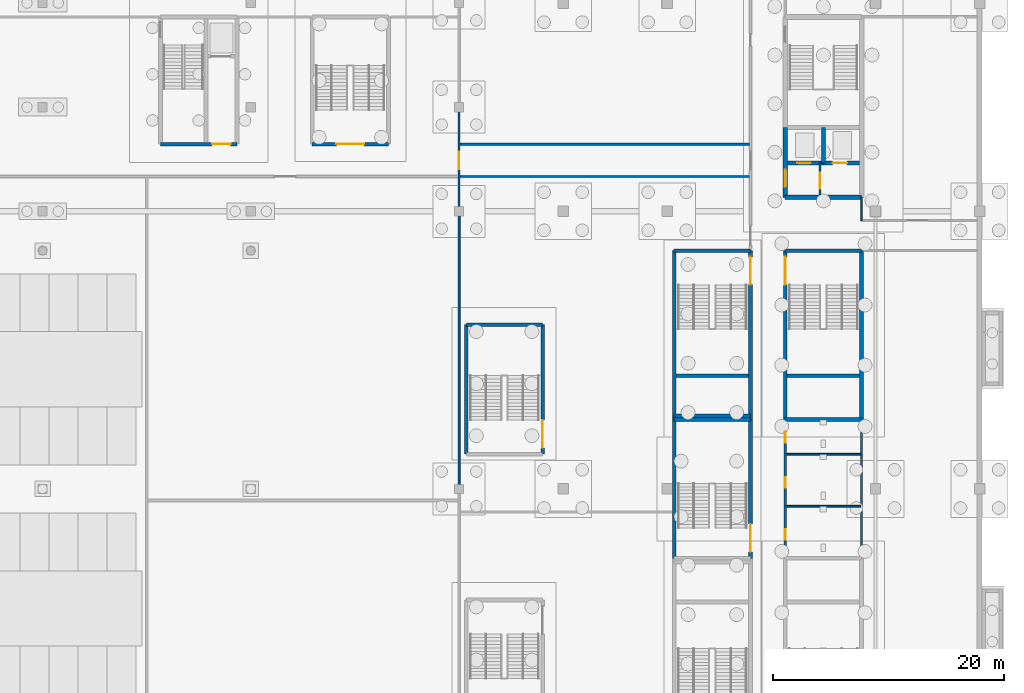
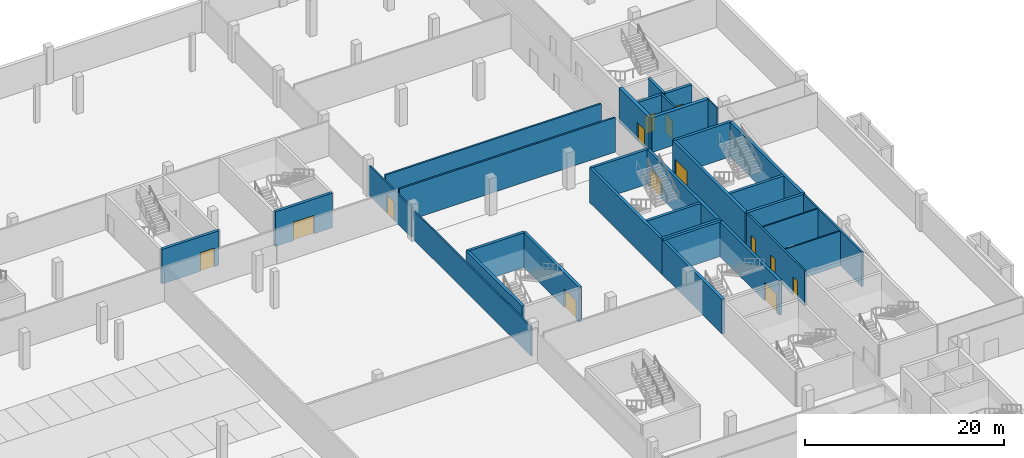
# One storey, part 23 of 46: 33 walls, 14 doors, 14 openings.
"""IFC4 building model written with IfcOpenShell, lengths in metres."""

from ifc_helpers import new_model, si_unit, direction, frame, frame_2d, origin, place, context, subcontext, project, spatial, rectangle, extrude, material, layer, layer_set, type_object, element, fill, save


model = new_model("IFC4")

# Units and contexts
model_context = context("Model", 3, precision=1e-05, world=origin(), true_north=direction((0.0, 1.0)))
body_context = subcontext(model_context, "Body", "Model", "MODEL_VIEW")
ifc_project = project(units=[si_unit("LENGTHUNIT", "METRE"), si_unit("AREAUNIT", "SQUARE_METRE"), si_unit("VOLUMEUNIT", "CUBIC_METRE"), si_unit("PLANEANGLEUNIT", "RADIAN"), si_unit("MASSUNIT", "GRAM", prefix="KILO")], contexts=[model_context])

# Site, building, storey
site_placement = place(None, origin())
site = spatial("IfcSite", under=ifc_project, at=site_placement, CompositionType="ELEMENT")
building_placement = place(site_placement, origin())
building = spatial("IfcBuilding", under=site, at=building_placement, Name="Kisiwana Market Hall", CompositionType="ELEMENT")
storey_placement = place(building_placement, frame((0.0, 0.0, -4.5)))
storey = spatial("IfcBuildingStorey", under=building, at=storey_placement, Name="B1", CompositionType="ELEMENT", Elevation=-4.5)

# Wall, opening, door
ifc_material_1 = material(Name="Masonry blockwork", Category="masonry")
ifc_layer_1 = layer(ifc_material_1, 0.199951171875, Name="Plastered fire compartment block wall")
ifc_layer_set_1 = layer_set([ifc_layer_1], Name="WL-COMP-200")
wall_type_1 = type_object("IfcWallType", Name="WL-COMP-200", PredefinedType="PARTITIONING", material=ifc_layer_set_1)
wall_1_placement = place(storey_placement, frame((184.199951171875, 85.39990234375, 0.0), z_axis=(0.0, 0.0, 1.0), x_axis=(0.0, 1.0, 0.0)))
wall_1 = element("IfcWall", 1, at=wall_1_placement, inside=storey, type_object=wall_type_1, Name="Core E1 firefighting lobby wall W-0204", PredefinedType="PARTITIONING", context=body_context, shape_type="SweptSolid", body=[
    extrude(rectangle(XDim=2.780029296875, YDim=0.199951171875, at=frame_2d((1.39013671875, 0.0))), origin(), (0.0, 0.0, 1.0), 4.239990234375),
])
opening_1_placement = place(wall_1_placement, frame((0.550048828125, 0.0, 0.0)))
opening_1 = element("IfcOpeningElement", 2, at=opening_1_placement, cuts=wall_1, Name="Opening DR-B1-012", PredefinedType="OPENING", context=body_context, shape_type="SweptSolid", body=[
    extrude(rectangle(XDim=1.39990234375, YDim=2.25, at=frame_2d((0.699951171875, 1.125))), frame((0.0, 0.11181640625, 0.0), z_axis=(0.0, -1.0, 0.0), x_axis=(1.0, 0.0, 0.0)), (0.0, 0.0, 1.0), 0.223876953125),
])
ifc_material_2 = material(Name="Steel S275", Category="steel")
door_type_1 = type_object("IfcDoorType", Name="DR-FFLOB-FD120-1400", OperationType="DOUBLE_DOOR_SINGLE_SWING", PredefinedType="DOOR", material=ifc_material_2)
door_1_placement = place(opening_1_placement, origin())
door_1 = element("IfcDoor", 3, at=door_1_placement, inside=storey, type_object=door_type_1, Name="Firefighting Lift Lobby E1 Door (B1)", OperationType="DOUBLE_DOOR_SINGLE_SWING", OverallHeight=2.25, OverallWidth=1.39990234375, PredefinedType="DOOR", context=body_context, shape_type="SweptSolid", body=[
    extrude(rectangle(XDim=1.39990234375, YDim=2.25, at=frame_2d((0.699951171875, 1.125))), frame((0.0, 0.02490234375, 0.0), z_axis=(0.0, -1.0, 0.0), x_axis=(1.0, 0.0, 0.0)), (0.0, 0.0, 1.0), 0.050048828125),
])
fill(opening_1, door_1)

# Wall
wall_2_placement = place(storey_placement, frame((187.800048828125, 54.159912109375, 0.0), z_axis=(0.0, 0.0, 1.0), x_axis=(0.0, 1.0, 0.0)))
element("IfcWall", 4, at=wall_2_placement, inside=storey, type_object=wall_type_1, Name="Interior partition W-0237", PredefinedType="PARTITIONING", context=body_context, shape_type="SweptSolid", body=[
    extrude(rectangle(XDim=11.68017578125, YDim=0.199951171875, at=frame_2d((5.840087890625, 0.0))), origin(), (0.0, 0.0, 1.0), 4.239990234375),
])

# Wall, openings, doors
wall_3_placement = place(storey_placement, frame((181.199951171875, 54.159912109375, 0.0), z_axis=(0.0, 0.0, 1.0), x_axis=(0.0, 1.0, 0.0)))
wall_3 = element("IfcWall", 5, at=wall_3_placement, inside=storey, type_object=wall_type_1, Name="Interior partition W-0238", PredefinedType="PARTITIONING", context=body_context, shape_type="SweptSolid", body=[
    extrude(rectangle(XDim=11.68017578125, YDim=0.199951171875, at=frame_2d((5.840087890625, 0.0))), origin(), (0.0, 0.0, 1.0), 4.239990234375),
])
opening_2_placement = place(wall_3_placement, frame((1.43994140625, 0.0, 0.0)))
opening_2 = element("IfcOpeningElement", 6, at=opening_2_placement, cuts=wall_3, Name="Opening DR-B1-060", PredefinedType="OPENING", context=body_context, shape_type="SweptSolid", body=[
    extrude(rectangle(XDim=0.89990234375, YDim=2.10009765625, at=frame_2d((0.449951171875, 1.050048828125))), frame((0.0, 0.11181640625, 0.0), z_axis=(0.0, -1.0, 0.0), x_axis=(1.0, 0.0, 0.0)), (0.0, 0.0, 1.0), 0.223876953125),
])
opening_3_placement = place(wall_3_placement, frame((5.93994140625, 0.0, 0.0)))
opening_3 = element("IfcOpeningElement", 7, at=opening_3_placement, cuts=wall_3, Name="Opening DR-B1-061", PredefinedType="OPENING", context=body_context, shape_type="SweptSolid", body=[
    extrude(rectangle(XDim=0.89990234375, YDim=2.10009765625, at=frame_2d((0.449951171875, 1.050048828125))), frame((0.0, 0.11181640625, 0.0), z_axis=(0.0, -1.0, 0.0), x_axis=(1.0, 0.0, 0.0)), (0.0, 0.0, 1.0), 0.223876953125),
])
opening_4_placement = place(wall_3_placement, frame((9.840087890625, 0.0, 0.0)))
opening_4 = element("IfcOpeningElement", 8, at=opening_4_placement, cuts=wall_3, Name="Opening DR-B1-062", PredefinedType="OPENING", context=body_context, shape_type="SweptSolid", body=[
    extrude(rectangle(XDim=0.949951171875, YDim=2.10009765625, at=frame_2d((0.47509765625, 1.050048828125))), frame((0.0, 0.11181640625, 0.0), z_axis=(0.0, -1.0, 0.0), x_axis=(1.0, 0.0, 0.0)), (0.0, 0.0, 1.0), 0.223876953125),
])
ifc_material_3 = material(Name="Aluminium alloy 6063-T6", Category="aluminium")
door_type_2 = type_object("IfcDoorType", Name="DR-WC-ACC-950", OperationType="NOTDEFINED", PredefinedType="DOOR", material=ifc_material_3)
door_2_placement = place(opening_4_placement, frame((0.949951171875, 0.0, 0.0), z_axis=(0.0, 0.0, 1.0), x_axis=(-1.0, 0.0, 0.0)))
door_2 = element("IfcDoor", 9, at=door_2_placement, inside=storey, type_object=door_type_2, Name="B1 E Accessible WC Door", OperationType="SINGLE_SWING_LEFT", OverallHeight=2.10009765625, OverallWidth=0.949951171875, PredefinedType="DOOR", context=body_context, shape_type="SweptSolid", body=[
    extrude(rectangle(XDim=0.949951171875, YDim=2.10009765625, at=frame_2d((0.47509765625, 1.050048828125))), frame((0.0, 0.02490234375, 0.0), z_axis=(0.0, -1.0, 0.0), x_axis=(1.0, 0.0, 0.0)), (0.0, 0.0, 1.0), 0.050048828125),
])
fill(opening_4, door_2)
ifc_material_4 = material(Name="Aluminium alloy 6063-T6", Category="aluminium")
door_type_3 = type_object("IfcDoorType", Name="DR-WC-STD-900", OperationType="NOTDEFINED", PredefinedType="DOOR", material=ifc_material_4)
door_3_placement = place(opening_2_placement, frame((0.89990234375, 0.0, 0.0), z_axis=(0.0, 0.0, 1.0), x_axis=(-1.0, 0.0, 0.0)))
door_3 = element("IfcDoor", 10, at=door_3_placement, inside=storey, type_object=door_type_3, Name="B1 E Male Toilet Door", OperationType="SINGLE_SWING_RIGHT", OverallHeight=2.10009765625, OverallWidth=0.89990234375, PredefinedType="DOOR", context=body_context, shape_type="SweptSolid", body=[
    extrude(rectangle(XDim=0.89990234375, YDim=2.10009765625, at=frame_2d((0.449951171875, 1.050048828125))), frame((0.0, 0.02490234375, 0.0), z_axis=(0.0, -1.0, 0.0), x_axis=(1.0, 0.0, 0.0)), (0.0, 0.0, 1.0), 0.050048828125),
])
fill(opening_2, door_3)
door_4_placement = place(opening_3_placement, frame((0.89990234375, 0.0, 0.0), z_axis=(0.0, 0.0, 1.0), x_axis=(-1.0, 0.0, 0.0)))
door_4 = element("IfcDoor", 11, at=door_4_placement, inside=storey, type_object=door_type_3, Name="B1 E Female Toilet Door", OperationType="SINGLE_SWING_LEFT", OverallHeight=2.10009765625, OverallWidth=0.89990234375, PredefinedType="DOOR", context=body_context, shape_type="SweptSolid", body=[
    extrude(rectangle(XDim=0.89990234375, YDim=2.10009765625, at=frame_2d((0.449951171875, 1.050048828125))), frame((0.0, 0.02490234375, 0.0), z_axis=(0.0, -1.0, 0.0), x_axis=(1.0, 0.0, 0.0)), (0.0, 0.0, 1.0), 0.050048828125),
])
fill(opening_3, door_4)

# Walls
for number, where, z_axis, x_axis, name in (
    (12, (153.0849609375, 87.0, 0.0), (0.0, 0.0, 1.0), (1.0, 0.0, 0.0), "Interior partition W-0255"),
    (13, (153.0849609375, 89.800048828125, 0.0), (0.0, 0.0, 1.0), (1.0, 0.0, 0.0), "Interior partition W-0256"),
):
    element("IfcWall", number, at=place(storey_placement, frame(where, z_axis=z_axis, x_axis=x_axis)), inside=storey, type_object=wall_type_1, Name=name, PredefinedType="PARTITIONING", context=body_context, shape_type="SweptSolid", body=[
        extrude(rectangle(XDim=25.01513671875, YDim=0.199951171875, at=frame_2d((12.507568359375, 0.0))), origin(), (0.0, 0.0, 1.0), 4.239990234375),
    ])
ifc_material_5 = material(Name="Concrete C40/50", Category="concrete")
ifc_layer_2 = layer(ifc_material_5, 0.320068359375, Name="Reinforced concrete shaft wall")
ifc_layer_set_2 = layer_set([ifc_layer_2], Name="WL-CORE-320")
wall_type_2 = type_object("IfcWallType", Name="WL-CORE-320", PredefinedType="SHEAR", material=ifc_layer_set_2)
wall_4_placement = place(storey_placement, frame((184.5, 88.179931640625, 0.0), z_axis=(0.0, 0.0, 1.0), x_axis=(0.0, 1.0, 0.0)))
element("IfcWall", 14, at=wall_4_placement, inside=storey, type_object=wall_type_2, Name="Core E1 inter-shaft shear wall W-0034", PredefinedType="SHEAR", context=body_context, shape_type="SweptSolid", body=[
    extrude(rectangle(XDim=3.06005859375, YDim=0.320068359375, at=frame_2d((1.530029296875, 0.0))), origin(), (0.0, 0.0, 1.0), 4.239990234375),
])

# Wall, opening, door
wall_5_placement = place(storey_placement, frame((181.39990234375, 88.179931640625, 0.0), z_axis=(0.0, 0.0, 1.0), x_axis=(1.0, 0.0, 0.0)))
wall_5 = element("IfcWall", 15, at=wall_5_placement, inside=storey, type_object=wall_type_2, Name="Core E1 west lift front wall W-0035", PredefinedType="SHEAR", context=body_context, shape_type="SweptSolid", body=[
    extrude(rectangle(XDim=3.10009765625, YDim=0.320068359375, at=frame_2d((1.550048828125, 0.0))), origin(), (0.0, 0.0, 1.0), 4.239990234375),
])
opening_5_placement = place(wall_5_placement, frame((0.85009765625, 0.0, 0.0)))
opening_5 = element("IfcOpeningElement", 16, at=opening_5_placement, cuts=wall_5, Name="Opening LD-B1-007", PredefinedType="OPENING", context=body_context, shape_type="SweptSolid", body=[
    extrude(rectangle(XDim=1.14990234375, YDim=2.199951171875, at=frame_2d((0.574951171875, 1.10009765625))), frame((0.0, 0.171875, 0.0), z_axis=(0.0, -1.0, 0.0), x_axis=(1.0, 0.0, 0.0)), (0.0, 0.0, 1.0), 0.343994140625),
])
ifc_material_6 = material(Name="Steel S275", Category="steel")
door_type_4 = type_object("IfcDoorType", Name="DR-LIFT-PAX-1150", OperationType="DOUBLE_DOOR_SLIDING", PredefinedType="DOOR", material=ifc_material_6)
door_5_placement = place(opening_5_placement, origin())
door_5 = element("IfcDoor", 17, at=door_5_placement, inside=storey, type_object=door_type_4, Name="Lift Landing Door LP-04 (B1)", OperationType="DOUBLE_DOOR_SLIDING", OverallHeight=2.199951171875, OverallWidth=1.14990234375, PredefinedType="DOOR", context=body_context, shape_type="SweptSolid", body=[
    extrude(rectangle(XDim=1.14990234375, YDim=2.199951171875, at=frame_2d((0.574951171875, 1.10009765625))), frame((0.0, 0.02490234375, 0.0), z_axis=(0.0, -1.0, 0.0), x_axis=(1.0, 0.0, 0.0)), (0.0, 0.0, 1.0), 0.050048828125),
])
fill(opening_5, door_5)

wall_6_placement = place(storey_placement, frame((184.5, 88.179931640625, 0.0), z_axis=(0.0, 0.0, 1.0), x_axis=(1.0, 0.0, 0.0)))
wall_6 = element("IfcWall", 18, at=wall_6_placement, inside=storey, type_object=wall_type_2, Name="Core E1 east lift front wall W-0036", PredefinedType="SHEAR", context=body_context, shape_type="SweptSolid", body=[
    extrude(rectangle(XDim=3.10009765625, YDim=0.320068359375, at=frame_2d((1.550048828125, 0.0))), origin(), (0.0, 0.0, 1.0), 4.239990234375),
])
opening_6_placement = place(wall_6_placement, frame((0.800048828125, 0.0, 0.0)))
opening_6 = element("IfcOpeningElement", 19, at=opening_6_placement, cuts=wall_6, Name="Opening LD-B1-008", PredefinedType="OPENING", context=body_context, shape_type="SweptSolid", body=[
    extrude(rectangle(XDim=1.25, YDim=2.25, at=frame_2d((0.625, 1.125))), frame((0.0, 0.171875, 0.0), z_axis=(0.0, -1.0, 0.0), x_axis=(1.0, 0.0, 0.0)), (0.0, 0.0, 1.0), 0.343994140625),
])
ifc_material_7 = material(Name="Steel S275", Category="steel")
door_type_5 = type_object("IfcDoorType", Name="DR-LIFT-FFL-1250", OperationType="DOUBLE_DOOR_SLIDING", PredefinedType="DOOR", material=ifc_material_7)
door_6_placement = place(opening_6_placement, origin())
door_6 = element("IfcDoor", 20, at=door_6_placement, inside=storey, type_object=door_type_5, Name="Lift Landing Door FFL-04 (B1)", OperationType="DOUBLE_DOOR_SLIDING", OverallHeight=2.25, OverallWidth=1.25, PredefinedType="DOOR", context=body_context, shape_type="SweptSolid", body=[
    extrude(rectangle(XDim=1.25, YDim=2.25, at=frame_2d((0.625, 1.125))), frame((0.0, 0.02490234375, 0.0), z_axis=(0.0, -1.0, 0.0), x_axis=(1.0, 0.0, 0.0)), (0.0, 0.0, 1.0), 0.050048828125),
])
fill(opening_6, door_6)

wall_7_placement = place(storey_placement, frame((127.199951171875, 89.800048828125, 0.0), z_axis=(0.0, 0.0, 1.0), x_axis=(1.0, 0.0, 0.0)))
wall_7 = element("IfcWall", 21, at=wall_7_placement, inside=storey, type_object=wall_type_2, Name="Core N2 south wall W-0053", PredefinedType="SHEAR", context=body_context, shape_type="SweptSolid", body=[
    extrude(rectangle(XDim=6.60009765625, YDim=0.320068359375, at=frame_2d((3.300048828125, 0.0))), origin(), (0.0, 0.0, 1.0), 4.239990234375),
])
opening_7_placement = place(wall_7_placement, frame((4.449951171875, 0.0, 0.0)))
opening_7 = element("IfcOpeningElement", 22, at=opening_7_placement, cuts=wall_7, Name="Opening DR-B1-018", PredefinedType="OPENING", context=body_context, shape_type="SweptSolid", body=[
    extrude(rectangle(XDim=1.60009765625, YDim=2.300048828125, at=frame_2d((0.800048828125, 1.14990234375))), frame((0.0, 0.171875, 0.0), z_axis=(0.0, -1.0, 0.0), x_axis=(1.0, 0.0, 0.0)), (0.0, 0.0, 1.0), 0.343994140625),
])
ifc_material_8 = material(Name="Steel S275", Category="steel")
door_type_6 = type_object("IfcDoorType", Name="DR-PLANT-FD120-1600", OperationType="DOUBLE_DOOR_SINGLE_SWING", PredefinedType="DOOR", material=ifc_material_8)
door_7_placement = place(opening_7_placement, origin())
door_7 = element("IfcDoor", 23, at=door_7_placement, inside=storey, type_object=door_type_6, Name="Goods Lift Lobby N2 Door (B1)", OperationType="DOUBLE_DOOR_SINGLE_SWING", OverallHeight=2.300048828125, OverallWidth=1.60009765625, PredefinedType="DOOR", context=body_context, shape_type="SweptSolid", body=[
    extrude(rectangle(XDim=1.60009765625, YDim=2.300048828125, at=frame_2d((0.800048828125, 1.14990234375))), frame((0.0, 0.02490234375, 0.0), z_axis=(0.0, -1.0, 0.0), x_axis=(1.0, 0.0, 0.0)), (0.0, 0.0, 1.0), 0.050048828125),
])
fill(opening_7, door_7)

# Walls
for number, where, z_axis, x_axis, name in (
    (24, (181.199951171875, 66.0, 0.0), (0.0, 0.0, 1.0), (1.0, 0.0, 0.0), "Core E4 south shear wall W-0074"),
    (25, (181.199951171875, 80.60009765625, 0.0), (0.0, 0.0, 1.0), (1.0, 0.0, 0.0), "Core E4 north shear wall W-0075"),
):
    element("IfcWall", number, at=place(storey_placement, frame(where, z_axis=z_axis, x_axis=x_axis)), inside=storey, type_object=wall_type_2, Name=name, PredefinedType="SHEAR", context=body_context, shape_type="SweptSolid", body=[
        extrude(rectangle(XDim=6.60009765625, YDim=0.320068359375, at=frame_2d((3.300048828125, 0.0))), origin(), (0.0, 0.0, 1.0), 4.239990234375),
    ])

# Wall, opening, door
wall_8_placement = place(storey_placement, frame((181.199951171875, 66.0, 0.0), z_axis=(0.0, 0.0, 1.0), x_axis=(0.0, 1.0, 0.0)))
wall_8 = element("IfcWall", 26, at=wall_8_placement, inside=storey, type_object=wall_type_2, Name="Core E4 corridor shear wall W-0076", PredefinedType="SHEAR", context=body_context, shape_type="SweptSolid", body=[
    extrude(rectangle(XDim=14.60009765625, YDim=0.320068359375, at=frame_2d((7.300048828125, 0.0))), origin(), (0.0, 0.0, 1.0), 4.239990234375),
])
opening_8_placement = place(wall_8_placement, frame((11.64990234375, 0.0, 0.0)))
opening_8 = element("IfcOpeningElement", 27, at=opening_8_placement, cuts=wall_8, Name="Opening DR-B1-022", PredefinedType="OPENING", context=body_context, shape_type="SweptSolid", body=[
    extrude(rectangle(XDim=2.39990234375, YDim=2.25, at=frame_2d((1.199951171875, 1.125))), frame((0.0, 0.171875, 0.0), z_axis=(0.0, -1.0, 0.0), x_axis=(1.0, 0.0, 0.0)), (0.0, 0.0, 1.0), 0.343994140625),
])
ifc_material_9 = material(Name="Steel S275", Category="steel")
door_type_7 = type_object("IfcDoorType", Name="DR-STAIR-FD120-2400", OperationType="DOUBLE_DOOR_SINGLE_SWING", PredefinedType="DOOR", material=ifc_material_9)
door_8_placement = place(opening_8_placement, frame((2.39990234375, 0.0, 0.0), z_axis=(0.0, 0.0, 1.0), x_axis=(-1.0, 0.0, 0.0)))
door_8 = element("IfcDoor", 28, at=door_8_placement, inside=storey, type_object=door_type_7, Name="Escape Stair E4 Fire Door (B1)", OperationType="DOUBLE_DOOR_SINGLE_SWING", OverallHeight=2.25, OverallWidth=2.39990234375, PredefinedType="DOOR", context=body_context, shape_type="SweptSolid", body=[
    extrude(rectangle(XDim=2.39990234375, YDim=2.25, at=frame_2d((1.199951171875, 1.125))), frame((0.0, 0.02490234375, 0.0), z_axis=(0.0, -1.0, 0.0), x_axis=(1.0, 0.0, 0.0)), (0.0, 0.0, 1.0), 0.050048828125),
])
fill(opening_8, door_8)

# Walls
wall_9_placement = place(storey_placement, frame((187.800048828125, 66.0, 0.0), z_axis=(0.0, 0.0, 1.0), x_axis=(0.0, 1.0, 0.0)))
element("IfcWall", 29, at=wall_9_placement, inside=storey, type_object=wall_type_2, Name="Core E4 outer shear wall W-0077", PredefinedType="SHEAR", context=body_context, shape_type="SweptSolid", body=[
    extrude(rectangle(XDim=14.60009765625, YDim=0.320068359375, at=frame_2d((7.300048828125, 0.0))), origin(), (0.0, 0.0, 1.0), 4.239990234375),
])
wall_10_placement = place(storey_placement, frame((181.360107421875, 69.780029296875, 0.0), z_axis=(0.0, 0.0, 1.0), x_axis=(1.0, 0.0, 0.0)))
element("IfcWall", 30, at=wall_10_placement, inside=storey, type_object=wall_type_2, Name="Core E4 riser divider shear wall W-0078", PredefinedType="SHEAR", context=body_context, shape_type="SweptSolid", body=[
    extrude(rectangle(XDim=6.27978515625, YDim=0.320068359375, at=frame_2d((3.139892578125, 0.0))), origin(), (0.0, 0.0, 1.0), 4.239990234375),
])
for number, where, z_axis, x_axis, name in (
    (31, (171.60009765625, 66.0, 0.0), (0.0, 0.0, 1.0), (1.0, 0.0, 0.0), "Core E8 south shear wall W-0094"),
    (32, (171.60009765625, 80.60009765625, 0.0), (0.0, 0.0, 1.0), (1.0, 0.0, 0.0), "Core E8 north shear wall W-0095"),
):
    element("IfcWall", number, at=place(storey_placement, frame(where, z_axis=z_axis, x_axis=x_axis)), inside=storey, type_object=wall_type_2, Name=name, PredefinedType="SHEAR", context=body_context, shape_type="SweptSolid", body=[
        extrude(rectangle(XDim=6.599853515625, YDim=0.320068359375, at=frame_2d((3.2998046875, 0.0))), origin(), (0.0, 0.0, 1.0), 4.239990234375),
    ])
wall_11_placement = place(storey_placement, frame((171.60009765625, 66.0, 0.0), z_axis=(0.0, 0.0, 1.0), x_axis=(0.0, 1.0, 0.0)))
element("IfcWall", 33, at=wall_11_placement, inside=storey, type_object=wall_type_2, Name="Core E8 outer shear wall W-0096", PredefinedType="SHEAR", context=body_context, shape_type="SweptSolid", body=[
    extrude(rectangle(XDim=14.60009765625, YDim=0.320068359375, at=frame_2d((7.300048828125, 0.0))), origin(), (0.0, 0.0, 1.0), 4.239990234375),
])

# Wall, opening, door
wall_12_placement = place(storey_placement, frame((178.199951171875, 66.0, 0.0), z_axis=(0.0, 0.0, 1.0), x_axis=(0.0, 1.0, 0.0)))
wall_12 = element("IfcWall", 34, at=wall_12_placement, inside=storey, type_object=wall_type_2, Name="Core E8 corridor shear wall W-0097", PredefinedType="SHEAR", context=body_context, shape_type="SweptSolid", body=[
    extrude(rectangle(XDim=14.60009765625, YDim=0.320068359375, at=frame_2d((7.300048828125, 0.0))), origin(), (0.0, 0.0, 1.0), 4.239990234375),
])
opening_9_placement = place(wall_12_placement, frame((11.64990234375, 0.0, 0.0)))
opening_9 = element("IfcOpeningElement", 35, at=opening_9_placement, cuts=wall_12, Name="Opening DR-B1-026", PredefinedType="OPENING", context=body_context, shape_type="SweptSolid", body=[
    extrude(rectangle(XDim=2.39990234375, YDim=2.25, at=frame_2d((1.199951171875, 1.125))), frame((0.0, 0.171875, 0.0), z_axis=(0.0, -1.0, 0.0), x_axis=(1.0, 0.0, 0.0)), (0.0, 0.0, 1.0), 0.343994140625),
])
door_9_placement = place(opening_9_placement, origin())
door_9 = element("IfcDoor", 36, at=door_9_placement, inside=storey, type_object=door_type_7, Name="Escape Stair E8 Fire Door (B1)", OperationType="DOUBLE_DOOR_SINGLE_SWING", OverallHeight=2.25, OverallWidth=2.39990234375, PredefinedType="DOOR", context=body_context, shape_type="SweptSolid", body=[
    extrude(rectangle(XDim=2.39990234375, YDim=2.25, at=frame_2d((1.199951171875, 1.125))), frame((0.0, 0.02490234375, 0.0), z_axis=(0.0, -1.0, 0.0), x_axis=(1.0, 0.0, 0.0)), (0.0, 0.0, 1.0), 0.050048828125),
])
fill(opening_9, door_9)

# Walls
wall_13_placement = place(storey_placement, frame((171.760009765625, 69.780029296875, 0.0), z_axis=(0.0, 0.0, 1.0), x_axis=(1.0, 0.0, 0.0)))
element("IfcWall", 37, at=wall_13_placement, inside=storey, type_object=wall_type_2, Name="Core E8 riser divider shear wall W-0098", PredefinedType="SHEAR", context=body_context, shape_type="SweptSolid", body=[
    extrude(rectangle(XDim=6.280029296875, YDim=0.320068359375, at=frame_2d((3.14013671875, 0.0))), origin(), (0.0, 0.0, 1.0), 4.239990234375),
])
wall_14_placement = place(storey_placement, frame((153.6298828125, 74.199951171875, 0.0), z_axis=(0.0, 0.0, 1.0), x_axis=(1.0, 0.0, 0.0)))
element("IfcWall", 38, at=wall_14_placement, inside=storey, type_object=wall_type_2, Name="Core E10 north shear wall W-0112", PredefinedType="SHEAR", context=body_context, shape_type="SweptSolid", body=[
    extrude(rectangle(XDim=6.60009765625, YDim=0.320068359375, at=frame_2d((3.300048828125, 0.0))), origin(), (0.0, 0.0, 1.0), 4.239990234375),
])
wall_15_placement = place(storey_placement, frame((153.6298828125, 63.0, 0.0), z_axis=(0.0, 0.0, 1.0), x_axis=(0.0, 1.0, 0.0)))
element("IfcWall", 39, at=wall_15_placement, inside=storey, type_object=wall_type_2, Name="Core E10 outer shear wall W-0113", PredefinedType="SHEAR", context=body_context, shape_type="SweptSolid", body=[
    extrude(rectangle(XDim=11.199951171875, YDim=0.320068359375, at=frame_2d((5.60009765625, 0.0))), origin(), (0.0, 0.0, 1.0), 4.239990234375),
])

# Wall, opening, door
wall_16_placement = place(storey_placement, frame((160.22998046875, 63.0, 0.0), z_axis=(0.0, 0.0, 1.0), x_axis=(0.0, 1.0, 0.0)))
wall_16 = element("IfcWall", 40, at=wall_16_placement, inside=storey, type_object=wall_type_2, Name="Core E10 corridor shear wall W-0114", PredefinedType="SHEAR", context=body_context, shape_type="SweptSolid", body=[
    extrude(rectangle(XDim=11.199951171875, YDim=0.320068359375, at=frame_2d((5.60009765625, 0.0))), origin(), (0.0, 0.0, 1.0), 4.239990234375),
])
opening_10_placement = place(wall_16_placement, frame((0.550048828125, 0.0, 0.0)))
opening_10 = element("IfcOpeningElement", 41, at=opening_10_placement, cuts=wall_16, Name="Opening DR-B1-030", PredefinedType="OPENING", context=body_context, shape_type="SweptSolid", body=[
    extrude(rectangle(XDim=2.39990234375, YDim=2.25, at=frame_2d((1.199951171875, 1.125))), frame((0.0, 0.171875, 0.0), z_axis=(0.0, -1.0, 0.0), x_axis=(1.0, 0.0, 0.0)), (0.0, 0.0, 1.0), 0.343994140625),
])
door_10_placement = place(opening_10_placement, origin())
door_10 = element("IfcDoor", 42, at=door_10_placement, inside=storey, type_object=door_type_7, Name="Escape Stair E10 Fire Door (B1)", OperationType="DOUBLE_DOOR_SINGLE_SWING", OverallHeight=2.25, OverallWidth=2.39990234375, PredefinedType="DOOR", context=body_context, shape_type="SweptSolid", body=[
    extrude(rectangle(XDim=2.39990234375, YDim=2.25, at=frame_2d((1.199951171875, 1.125))), frame((0.0, 0.02490234375, 0.0), z_axis=(0.0, -1.0, 0.0), x_axis=(1.0, 0.0, 0.0)), (0.0, 0.0, 1.0), 0.050048828125),
])
fill(opening_10, door_10)

# Walls
wall_17_placement = place(storey_placement, frame((171.60009765625, 66.320068359375, 0.0), z_axis=(0.0, 0.0, 1.0), x_axis=(1.0, 0.0, 0.0)))
element("IfcWall", 43, at=wall_17_placement, inside=storey, type_object=wall_type_2, Name="Core E5 north shear wall W-0120", PredefinedType="SHEAR", context=body_context, shape_type="SweptSolid", body=[
    extrude(rectangle(XDim=6.599853515625, YDim=0.320068359375, at=frame_2d((3.2998046875, 0.0))), origin(), (0.0, 0.0, 1.0), 4.239990234375),
])
wall_18_placement = place(storey_placement, frame((171.60009765625, 54.0, 0.0), z_axis=(0.0, 0.0, 1.0), x_axis=(0.0, 1.0, 0.0)))
element("IfcWall", 44, at=wall_18_placement, inside=storey, type_object=wall_type_2, Name="Core E5 outer shear wall W-0121", PredefinedType="SHEAR", context=body_context, shape_type="SweptSolid", body=[
    extrude(rectangle(XDim=12.0, YDim=0.320068359375, at=frame_2d((6.0, 0.0))), origin(), (0.0, 0.0, 1.0), 4.239990234375),
])

# Wall, opening, door
wall_19_placement = place(storey_placement, frame((178.199951171875, 54.0, 0.0), z_axis=(0.0, 0.0, 1.0), x_axis=(0.0, 1.0, 0.0)))
wall_19 = element("IfcWall", 45, at=wall_19_placement, inside=storey, type_object=wall_type_2, Name="Core E5 corridor shear wall W-0122", PredefinedType="SHEAR", context=body_context, shape_type="SweptSolid", body=[
    extrude(rectangle(XDim=12.0, YDim=0.320068359375, at=frame_2d((6.0, 0.0))), origin(), (0.0, 0.0, 1.0), 4.239990234375),
])
opening_11_placement = place(wall_19_placement, frame((0.550048828125, 0.0, 0.0)))
opening_11 = element("IfcOpeningElement", 46, at=opening_11_placement, cuts=wall_19, Name="Opening DR-B1-032", PredefinedType="OPENING", context=body_context, shape_type="SweptSolid", body=[
    extrude(rectangle(XDim=2.39990234375, YDim=2.25, at=frame_2d((1.199951171875, 1.125))), frame((0.0, 0.171875, 0.0), z_axis=(0.0, -1.0, 0.0), x_axis=(1.0, 0.0, 0.0)), (0.0, 0.0, 1.0), 0.343994140625),
])
door_11_placement = place(opening_11_placement, origin())
door_11 = element("IfcDoor", 47, at=door_11_placement, inside=storey, type_object=door_type_7, Name="Escape Stair E5 Fire Door (B1)", OperationType="DOUBLE_DOOR_SINGLE_SWING", OverallHeight=2.25, OverallWidth=2.39990234375, PredefinedType="DOOR", context=body_context, shape_type="SweptSolid", body=[
    extrude(rectangle(XDim=2.39990234375, YDim=2.25, at=frame_2d((1.199951171875, 1.125))), frame((0.0, 0.02490234375, 0.0), z_axis=(0.0, -1.0, 0.0), x_axis=(1.0, 0.0, 0.0)), (0.0, 0.0, 1.0), 0.050048828125),
])
fill(opening_11, door_11)

wall_20_placement = place(storey_placement, frame((140.300048828125, 89.800048828125, 0.0), z_axis=(0.0, 0.0, 1.0), x_axis=(1.0, 0.0, 0.0)))
wall_20 = element("IfcWall", 48, at=wall_20_placement, inside=storey, type_object=wall_type_2, Name="Core N6 corridor shear wall W-0151", PredefinedType="SHEAR", context=body_context, shape_type="SweptSolid", body=[
    extrude(rectangle(XDim=6.599853515625, YDim=0.320068359375, at=frame_2d((3.2998046875, 0.0))), origin(), (0.0, 0.0, 1.0), 4.239990234375),
])
opening_12_placement = place(wall_20_placement, frame((2.10009765625, 0.0, 0.0)))
opening_12 = element("IfcOpeningElement", 49, at=opening_12_placement, cuts=wall_20, Name="Opening DR-B1-040", PredefinedType="OPENING", context=body_context, shape_type="SweptSolid", body=[
    extrude(rectangle(XDim=2.39990234375, YDim=2.25, at=frame_2d((1.199951171875, 1.125))), frame((0.0, 0.171875, 0.0), z_axis=(0.0, -1.0, 0.0), x_axis=(1.0, 0.0, 0.0)), (0.0, 0.0, 1.0), 0.343994140625),
])
door_12_placement = place(opening_12_placement, origin())
door_12 = element("IfcDoor", 50, at=door_12_placement, inside=storey, type_object=door_type_7, Name="Escape Stair N6 Fire Door (B1)", OperationType="DOUBLE_DOOR_SINGLE_SWING", OverallHeight=2.25, OverallWidth=2.39990234375, PredefinedType="DOOR", context=body_context, shape_type="SweptSolid", body=[
    extrude(rectangle(XDim=2.39990234375, YDim=2.25, at=frame_2d((1.199951171875, 1.125))), frame((0.0, 0.02490234375, 0.0), z_axis=(0.0, -1.0, 0.0), x_axis=(1.0, 0.0, 0.0)), (0.0, 0.0, 1.0), 0.050048828125),
])
fill(opening_12, door_12)

# Wall
ifc_material_10 = material(Name="Concrete C40/50", Category="concrete")
ifc_layer_3 = layer(ifc_material_10, 0.39990234375, Name="Reinforced concrete core wall")
ifc_layer_set_3 = layer_set([ifc_layer_3], Name="WL-CORE-400")
wall_type_3 = type_object("IfcWallType", Name="WL-CORE-400", PredefinedType="SHEAR", material=ifc_layer_set_3)
wall_21_placement = place(storey_placement, frame((181.199951171875, 85.199951171875, 0.0), z_axis=(0.0, 0.0, 1.0), x_axis=(1.0, 0.0, 0.0)))
element("IfcWall", 51, at=wall_21_placement, inside=storey, type_object=wall_type_3, Name="Core E1 south shear wall W-0028", PredefinedType="SHEAR", context=body_context, shape_type="SweptSolid", body=[
    extrude(rectangle(XDim=6.60009765625, YDim=0.39990234375, at=frame_2d((3.300048828125, 0.0))), origin(), (0.0, 0.0, 1.0), 4.239990234375),
])

# Wall, opening, door
wall_22_placement = place(storey_placement, frame((181.199951171875, 85.199951171875, 0.0), z_axis=(0.0, 0.0, 1.0), x_axis=(0.0, 1.0, 0.0)))
wall_22 = element("IfcWall", 52, at=wall_22_placement, inside=storey, type_object=wall_type_3, Name="Core E1 lobby corridor shear wall W-0031", PredefinedType="SHEAR", context=body_context, shape_type="SweptSolid", body=[
    extrude(rectangle(XDim=6.0400390625, YDim=0.39990234375, at=frame_2d((3.02001953125, 0.0))), origin(), (0.0, 0.0, 1.0), 4.239990234375),
])
opening_13_placement = place(wall_22_placement, frame((0.89990234375, 0.0, 0.0)))
opening_13 = element("IfcOpeningElement", 53, at=opening_13_placement, cuts=wall_22, Name="Opening DR-B1-010", PredefinedType="OPENING", context=body_context, shape_type="SweptSolid", body=[
    extrude(rectangle(XDim=1.5, YDim=2.199951171875, at=frame_2d((0.75, 1.10009765625))), frame((0.0, 0.2119140625, 0.0), z_axis=(0.0, -1.0, 0.0), x_axis=(1.0, 0.0, 0.0)), (0.0, 0.0, 1.0), 0.423828125),
])
ifc_material_11 = material(Name="Steel S275", Category="steel")
door_type_8 = type_object("IfcDoorType", Name="DR-CORR-FD60-1500", OperationType="DOUBLE_DOOR_SINGLE_SWING", PredefinedType="DOOR", material=ifc_material_11)
door_13_placement = place(opening_13_placement, origin())
door_13 = element("IfcDoor", 54, at=door_13_placement, inside=storey, type_object=door_type_8, Name="Passenger Lift Lobby E1 Smoke Door (B1)", OperationType="DOUBLE_DOOR_SINGLE_SWING", OverallHeight=2.199951171875, OverallWidth=1.5, PredefinedType="DOOR", context=body_context, shape_type="SweptSolid", body=[
    extrude(rectangle(XDim=1.5, YDim=2.199951171875, at=frame_2d((0.75, 1.10009765625))), frame((0.0, 0.02490234375, 0.0), z_axis=(0.0, -1.0, 0.0), x_axis=(1.0, 0.0, 0.0)), (0.0, 0.0, 1.0), 0.050048828125),
])
fill(opening_13, door_13)

# Wall
ifc_material_12 = material(Name="Masonry blockwork", Category="masonry")
ifc_layer_4 = layer(ifc_material_12, 0.169921875, Name="Protected corridor partition")
ifc_layer_set_4 = layer_set([ifc_layer_4], Name="WL-CORR-170")
wall_type_4 = type_object("IfcWallType", Name="WL-CORR-170", PredefinedType="PARTITIONING", material=ifc_layer_set_4)
wall_23_placement = place(storey_placement, frame((153.0, 60.219970703125, 0.0), z_axis=(0.0, 0.0, 1.0), x_axis=(0.0, 1.0, 0.0)))
element("IfcWall", 55, at=wall_23_placement, inside=storey, type_object=wall_type_4, Name="Interior partition W-0264", PredefinedType="PARTITIONING", context=body_context, shape_type="SweptSolid", body=[
    extrude(rectangle(XDim=23.56005859375, YDim=0.169921875, at=frame_2d((11.780029296875, 0.0))), origin(), (0.0, 0.0, 1.0), 3.556396484375),
])

# Wall, opening, door
wall_24_placement = place(storey_placement, frame((153.0, 84.219970703125, 0.0), z_axis=(0.0, 0.0, 1.0), x_axis=(0.0, 1.0, 0.0)))
wall_24 = element("IfcWall", 56, at=wall_24_placement, inside=storey, type_object=wall_type_4, Name="Interior partition W-0265", PredefinedType="PARTITIONING", context=body_context, shape_type="SweptSolid", body=[
    extrude(rectangle(XDim=8.56005859375, YDim=0.169921875, at=frame_2d((4.280029296875, 0.0))), origin(), (0.0, 0.0, 1.0), 3.6669921875),
])
opening_14_placement = place(wall_24_placement, frame((3.429931640625, 0.0, 0.0)))
opening_14 = element("IfcOpeningElement", 57, at=opening_14_placement, cuts=wall_24, Name="Opening DR-B1-078", PredefinedType="OPENING", context=body_context, shape_type="SweptSolid", body=[
    extrude(rectangle(XDim=1.5, YDim=2.199951171875, at=frame_2d((0.75, 1.10009765625))), frame((0.0, 0.096923828125, 0.0), z_axis=(0.0, -1.0, 0.0), x_axis=(1.0, 0.0, 0.0)), (0.0, 0.0, 1.0), 0.19384765625),
])
door_14_placement = place(opening_14_placement, origin())
door_14 = element("IfcDoor", 58, at=door_14_placement, inside=storey, type_object=door_type_8, Name="B1 E North Spine Link Door", OperationType="DOUBLE_DOOR_SINGLE_SWING", OverallHeight=2.199951171875, OverallWidth=1.5, PredefinedType="DOOR", context=body_context, shape_type="SweptSolid", body=[
    extrude(rectangle(XDim=1.5, YDim=2.199951171875, at=frame_2d((0.75, 1.10009765625))), frame((0.0, 0.02490234375, 0.0), z_axis=(0.0, -1.0, 0.0), x_axis=(1.0, 0.0, 0.0)), (0.0, 0.0, 1.0), 0.050048828125),
])
fill(opening_14, door_14)

# Walls
ifc_material_13 = material(Name="Gypsum plasterboard")
ifc_layer_5 = layer(ifc_material_13, 0.125, Name="Double gypsum board + acoustic stud")
ifc_layer_set_5 = layer_set([ifc_layer_5], Name="WL-OFF-125")
wall_type_5 = type_object("IfcWallType", Name="WL-OFF-125", PredefinedType="PARTITIONING", material=ifc_layer_set_5)
wall_25_placement = place(storey_placement, frame((187.800048828125, 83.199951171875, 0.0), z_axis=(0.0, 0.0, 1.0), x_axis=(0.0, 1.0, 0.0)))
element("IfcWall", 59, at=wall_25_placement, inside=storey, type_object=wall_type_5, Name="Interior partition W-0242", PredefinedType="PARTITIONING", context=body_context, shape_type="SweptSolid", body=[
    extrude(rectangle(XDim=2.0, YDim=0.125, at=frame_2d((1.0, 0.0))), origin(), (0.0, 0.0, 1.0), 4.239990234375),
])
ifc_material_14 = material(Name="Masonry blockwork", Category="masonry")
ifc_layer_6 = layer(ifc_material_14, 0.14990234375, Name="Water-resistant sanitary block wall")
ifc_layer_set_6 = layer_set([ifc_layer_6], Name="WL-WET-150")
wall_type_6 = type_object("IfcWallType", Name="WL-WET-150", PredefinedType="PARTITIONING", material=ifc_layer_set_6)
for number, where, z_axis, x_axis, name in (
    (60, (181.284912109375, 58.5, 0.0), (0.0, 0.0, 1.0), (1.0, 0.0, 0.0), "Interior partition W-0239"),
    (61, (181.284912109375, 63.0, 0.0), (0.0, 0.0, 1.0), (1.0, 0.0, 0.0), "Interior partition W-0240"),
):
    element("IfcWall", number, at=place(storey_placement, frame(where, z_axis=z_axis, x_axis=x_axis)), inside=storey, type_object=wall_type_6, Name=name, PredefinedType="PARTITIONING", context=body_context, shape_type="SweptSolid", body=[
        extrude(rectangle(XDim=6.43017578125, YDim=0.14990234375, at=frame_2d((3.215087890625, 0.0))), origin(), (0.0, 0.0, 1.0), 4.239990234375),
    ])

save(model, "model.ifc")
